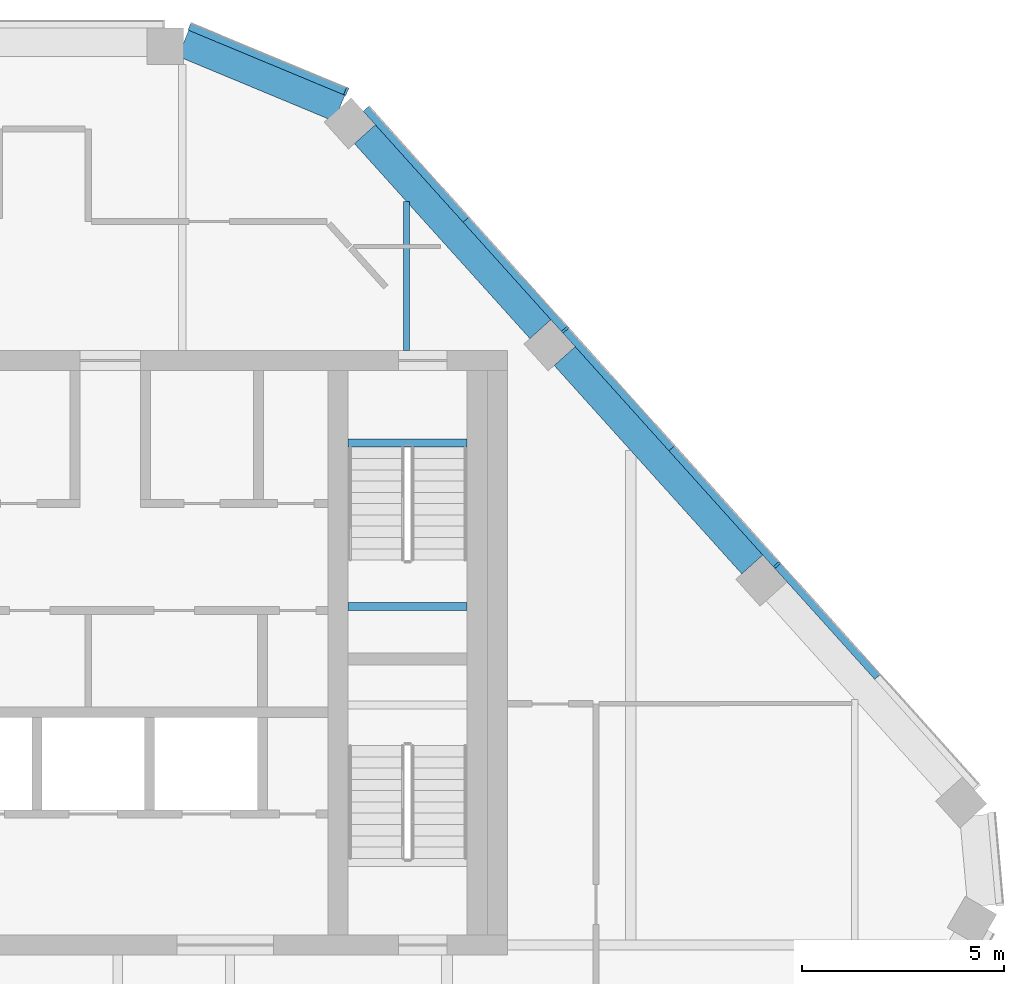
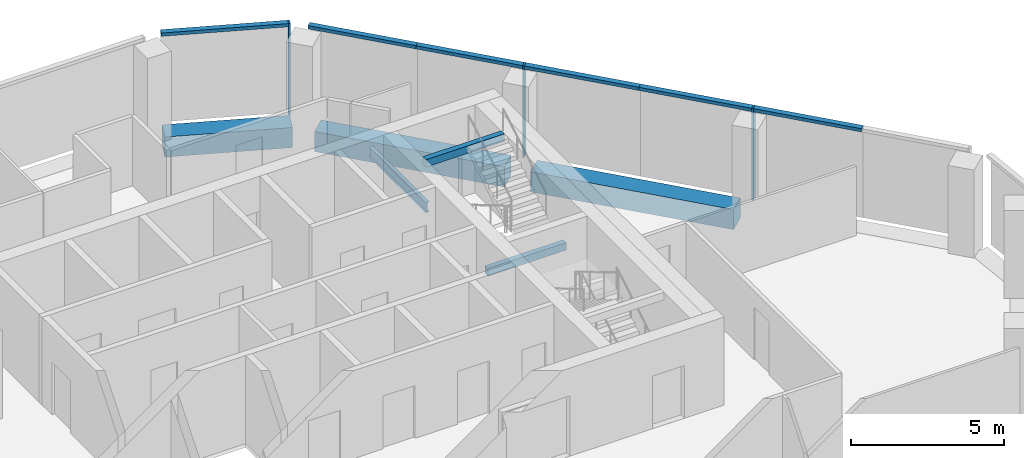
# One storey, part 6 of 15: 9 members, 6 beams, 2 elements without a shape of their own.
"""IFC4 building model written with IfcOpenShell, lengths in metres."""

from ifc_helpers import new_model, si_unit, direction, frame, origin, origin_2d, place, context, subcontext, project, spatial, rectangle, i_section, extrude, material, layer, layer_set, material_profile, profile_set, type_object, element, aggregate, save


model = new_model("IFC4")

# Units and contexts
model_context = context("Model", 3, precision=1e-05, world=origin(), true_north=direction((0.0, 1.0)))
body_context = subcontext(model_context, "Body", "Model", "MODEL_VIEW")
ifc_project = project(units=[si_unit("LENGTHUNIT", "METRE"), si_unit("AREAUNIT", "SQUARE_METRE"), si_unit("VOLUMEUNIT", "CUBIC_METRE"), si_unit("PLANEANGLEUNIT", "RADIAN"), si_unit("MASSUNIT", "GRAM", prefix="KILO")], contexts=[model_context])

# Site, building, storey
site_placement = place(None, origin())
site = spatial("IfcSite", under=ifc_project, at=site_placement, CompositionType="ELEMENT")
building_placement = place(site_placement, origin())
building = spatial("IfcBuilding", under=site, at=building_placement, Name="Isthmus Gate Tower", CompositionType="ELEMENT")
storey_placement = place(building_placement, frame((0.0, 0.0, 271.89990234375)))
storey = spatial("IfcBuildingStorey", under=building, at=storey_placement, Name="L69", CompositionType="ELEMENT", Elevation=271.89990234375)

# Curtain wall, members
ifc_material_1 = material(Name="Aluminium, pale champagne anodised", Category="aluminium")
ifc_layer = layer(ifc_material_1, 0.199951171875)
ifc_layer_set = layer_set([ifc_layer], Name="CW-1 UNITISED CURTAIN WALL 200 DEEP")
curtain_wall_type = type_object("IfcCurtainWallType", Name="CW-1 UNITISED CURTAIN WALL 200 DEEP", PredefinedType="NOTDEFINED", material=ifc_layer_set)
curtain_wall_1_placement = place(storey_placement, origin())
curtain_wall_1 = element("IfcCurtainWall", 1, at=curtain_wall_1_placement, inside=storey, type_object=curtain_wall_type, Name="CW-1 NE L69", PredefinedType="NOTDEFINED")
ifc_material_2 = material(Name="Aluminium, pale champagne anodised", Category="aluminium")
ifc_material_profile_1 = material_profile(ifc_material_2, rectangle(XDim=0.06005859375, YDim=0.199951171875, at=origin_2d()), Name="60x200")
ifc_profile_set_1 = profile_set([ifc_material_profile_1], Name="Aluminium, pale champagne anodised")
member_type_1 = type_object("IfcMemberType", Name="CW-1 MULLION 60 X 200", PredefinedType="MULLION", material=ifc_profile_set_1)
member_1_placement = place(storey_placement, frame((21.69140625, 9.680419921875, 0.0), z_axis=(0.0, 0.0, 1.0), x_axis=(-0.669130606359, 0.743144825477, 0.0)))
member_1 = element("IfcMember", 2, at=member_1_placement, type_object=member_type_1, Name="CW-1 mullion", PredefinedType="MULLION", context=body_context, shape_type="SweptSolid", body=[
    extrude(rectangle(XDim=0.06005859375, YDim=0.199951171875, at=origin_2d()), origin(), (0.0, 0.0, 1.0), 3.650146484375),
])
member_2_placement = place(storey_placement, frame((16.43408203125, 15.519287109375, 0.0), z_axis=(0.0, 0.0, 1.0), x_axis=(-0.669130606359, 0.743144825477, 0.0)))
member_2 = element("IfcMember", 3, at=member_2_placement, type_object=member_type_1, Name="CW-1 mullion", PredefinedType="MULLION", context=body_context, shape_type="SweptSolid", body=[
    extrude(rectangle(XDim=0.06005859375, YDim=0.199951171875, at=origin_2d()), origin(), (0.0, 0.0, 1.0), 3.650146484375),
])

# Curtain wall, member
curtain_wall_2_placement = place(storey_placement, origin())
curtain_wall_2 = element("IfcCurtainWall", 4, at=curtain_wall_2_placement, inside=storey, type_object=curtain_wall_type, Name="CW-1 NE-N L69", PredefinedType="NOTDEFINED")
member_3_placement = place(storey_placement, frame((11.001708984375, 21.427490234375, 0.0), z_axis=(0.0, 0.0, 1.0), x_axis=(-0.923353128387, 0.383951820282, 0.0)))
member_3 = element("IfcMember", 5, at=member_3_placement, type_object=member_type_1, Name="CW-1 mullion", PredefinedType="MULLION", context=body_context, shape_type="SweptSolid", body=[
    extrude(rectangle(XDim=0.06005859375, YDim=0.199951171875, at=origin_2d()), origin(), (0.0, 0.0, 1.0), 3.650146484375),
])

# Member
ifc_material_3 = material(Name="Aluminium, pale champagne anodised", Category="aluminium")
ifc_material_profile_2 = material_profile(ifc_material_3, rectangle(XDim=0.199951171875, YDim=0.1298828125, at=origin_2d()), Name="200x130")
ifc_profile_set_2 = profile_set([ifc_material_profile_2], Name="Aluminium, pale champagne anodised")
member_type_2 = type_object("IfcMemberType", Name="CW-1 TRANSOM 200 X 130", PredefinedType="USERDEFINED", material=ifc_profile_set_2)
member_4_placement = place(storey_placement, frame((24.189453125, 6.906005859375, 3.585205078125), z_axis=(-0.669121330099, 0.743153177754, 0.0), x_axis=(-0.743153177754, -0.669121330099, 0.0)))
member_4 = element("IfcMember", 6, at=member_4_placement, type_object=member_type_2, Name="CW-1 transom", ObjectType="TRANSOM", PredefinedType="USERDEFINED", context=body_context, shape_type="SweptSolid", body=[
    extrude(rectangle(XDim=0.199951171875, YDim=0.1298828125, at=origin_2d()), origin(), (0.0, 0.0, 1.0), 3.703369140625),
])

member_5_placement = place(storey_placement, frame((21.67138671875, 9.702880859375, 3.585205078125), z_axis=(-0.669156480406, 0.743121527565, 0.0), x_axis=(-0.743121527565, -0.669156480406, 0.0)))
member_5 = element("IfcMember", 7, at=member_5_placement, type_object=member_type_2, Name="CW-1 transom", ObjectType="TRANSOM", PredefinedType="USERDEFINED", context=body_context, shape_type="SweptSolid", body=[
    extrude(rectangle(XDim=0.199951171875, YDim=0.1298828125, at=origin_2d()), origin(), (0.0, 0.0, 1.0), 3.868408203125),
])

member_6_placement = place(storey_placement, frame((19.082763671875, 12.57763671875, 3.585205078125), z_axis=(-0.669095199697, 0.743176704252, 0.0), x_axis=(-0.743176704252, -0.669095199697, 0.0)))
member_6 = element("IfcMember", 8, at=member_6_placement, type_object=member_type_2, Name="CW-1 transom", ObjectType="TRANSOM", PredefinedType="USERDEFINED", context=body_context, shape_type="SweptSolid", body=[
    extrude(rectangle(XDim=0.199951171875, YDim=0.1298828125, at=origin_2d()), origin(), (0.0, 0.0, 1.0), 3.92822265625),
])

member_7_placement = place(storey_placement, frame((16.4140625, 15.54150390625, 3.585205078125), z_axis=(-0.669116497993, 0.743157528464, 0.0), x_axis=(-0.743157528464, -0.669116497993, 0.0)))
member_7 = element("IfcMember", 9, at=member_7_placement, type_object=member_type_2, Name="CW-1 transom", ObjectType="TRANSOM", PredefinedType="USERDEFINED", context=body_context, shape_type="SweptSolid", body=[
    extrude(rectangle(XDim=0.199951171875, YDim=0.1298828125, at=origin_2d()), origin(), (0.0, 0.0, 1.0), 3.6435546875),
])

member_8_placement = place(storey_placement, frame((13.97607421875, 18.249267578125, 3.585205078125), z_axis=(-0.669154112043, 0.743123660192, 0.0), x_axis=(-0.743123660192, -0.669154112043, 0.0)))
member_8 = element("IfcMember", 10, at=member_8_placement, type_object=member_type_2, Name="CW-1 transom", ObjectType="TRANSOM", PredefinedType="USERDEFINED", context=body_context, shape_type="SweptSolid", body=[
    extrude(rectangle(XDim=0.199951171875, YDim=0.1298828125, at=origin_2d()), origin(), (0.0, 0.0, 1.0), 3.703125),
])

aggregate(curtain_wall_1, [member_4, member_1, member_5, member_6, member_2, member_7, member_8])

member_9_placement = place(storey_placement, frame((10.97412109375, 21.43896484375, 3.585205078125), z_axis=(-0.923358236369, 0.383939536033, 0.0), x_axis=(-0.383939536033, -0.923358236369, 0.0)))
member_9 = element("IfcMember", 11, at=member_9_placement, type_object=member_type_2, Name="CW-1 transom", ObjectType="TRANSOM", PredefinedType="USERDEFINED", context=body_context, shape_type="SweptSolid", body=[
    extrude(rectangle(XDim=0.199951171875, YDim=0.1298828125, at=origin_2d()), origin(), (0.0, 0.0, 1.0), 4.181640625),
])

aggregate(curtain_wall_2, [member_3, member_9])

# Beams
ifc_material_4 = material(Name="Concrete f'c 50 MPa", Category="concrete")
ifc_material_profile_3 = material_profile(ifc_material_4, rectangle(XDim=0.699951171875, YDim=0.800048828125, at=origin_2d()), Name="RC 700X800")
ifc_profile_set_3 = profile_set([ifc_material_profile_3], Name="Concrete f'c 50 MPa")
beam_type_1 = type_object("IfcBeamType", Name="RC SPANDREL 700 X 800", PredefinedType="SPANDREL", material=ifc_profile_set_3)
beam_1_placement = place(storey_placement, frame((6.95947265625, 22.620849609375, -0.39990234375), z_axis=(0.923360646135, -0.383933740597, 0.0), x_axis=(0.383933740597, 0.923360646135, 0.0)))
element("IfcBeam", 12, at=beam_1_placement, inside=storey, type_object=beam_type_1, Name="str-spandrel-L69-00", PredefinedType="SPANDREL", context=body_context, shape_type="SweptSolid", body=[
    extrude(rectangle(XDim=0.699951171875, YDim=0.800048828125, at=origin_2d()), origin(), (0.0, 0.0, 1.0), 4.19677734375),
])
beam_2_placement = place(storey_placement, frame((11.46484375, 20.36572265625, -0.39990234375), z_axis=(0.669122265754, -0.743152335307, 0.0), x_axis=(0.743152335307, 0.669122265754, 0.0)))
element("IfcBeam", 13, at=beam_2_placement, inside=storey, type_object=beam_type_1, Name="str-spandrel-L69-01", PredefinedType="SPANDREL", context=body_context, shape_type="SweptSolid", body=[
    extrude(rectangle(XDim=0.699951171875, YDim=0.800048828125, at=origin_2d()), origin(), (0.0, 0.0, 1.0), 6.506591796875),
])
beam_3_placement = place(storey_placement, frame((16.4208984375, 14.861572265625, -0.39990234375), z_axis=(0.669131458307, -0.743144058379, 0.0), x_axis=(0.743144058379, 0.669131458307, 0.0)))
element("IfcBeam", 14, at=beam_3_placement, inside=storey, type_object=beam_type_1, Name="str-spandrel-L69-02", PredefinedType="SPANDREL", context=body_context, shape_type="SweptSolid", body=[
    extrude(rectangle(XDim=0.699951171875, YDim=0.800048828125, at=origin_2d()), origin(), (0.0, 0.0, 1.0), 6.956787109375),
])
ifc_material_5 = material(Name="Concrete f'c 40 MPa", Category="concrete")
ifc_material_profile_4 = material_profile(ifc_material_5, rectangle(XDim=0.199951171875, YDim=0.300048828125, at=origin_2d()), Name="STAIR LANDING BEAM RC 200 X 300")
ifc_profile_set_4 = profile_set([ifc_material_profile_4], Name="Concrete f'c 40 MPa")
beam_type_2 = type_object("IfcBeamType", Name="STAIR LANDING BEAM RC 200 X 300", PredefinedType="BEAM", material=ifc_profile_set_4)
for number, where, z_axis, x_axis, name in (
    (15, (11.050048828125, 8.64990234375, 1.47509765625), (1.0, 0.0, 0.0), (0.0, 1.0, 0.0), "L69 ST2 landing beam 1"),
    (16, (11.050048828125, 12.7001953125, 3.35009765625), (1.0, 0.0, 0.0), (0.0, 1.0, 0.0), "L69 ST2 floor-edge seat beam"),
):
    element("IfcBeam", number, at=place(storey_placement, frame(where, z_axis=z_axis, x_axis=x_axis)), inside=storey, type_object=beam_type_2, Name=name, PredefinedType="BEAM", context=body_context, shape_type="SweptSolid", body=[
        extrude(rectangle(XDim=0.199951171875, YDim=0.300048828125, at=origin_2d()), origin(), (0.0, 0.0, 1.0), 2.949951171875),
    ])
ifc_material_6 = material(Name="Structural steel ASTM A992 Gr 50", Category="steel")
ifc_material_profile_5 = material_profile(ifc_material_6, i_section(OverallWidth=0.1396484375, OverallDepth=0.4033203125, WebThickness=0.00634765625, FlangeThickness=0.010986328125, at=origin_2d()), Name="W16X31")
ifc_profile_set_5 = profile_set([ifc_material_profile_5], Name="Structural steel ASTM A992 Gr 50")
beam_type_3 = type_object("IfcBeamType", Name="STEEL FLOOR BEAM W16X31", PredefinedType="JOIST", material=ifc_profile_set_5)
beam_4_placement = place(storey_placement, frame((12.49560546875, 15.0, -0.3515625), z_axis=(0.0, 1.0, 0.0), x_axis=(-1.0, 0.0, 0.0)))
element("IfcBeam", 17, at=beam_4_placement, inside=storey, type_object=beam_type_3, Name="str-beam-L69-07-05", PredefinedType="JOIST", context=body_context, shape_type="SweptSolid", body=[
    extrude(i_section(OverallWidth=0.1396484375, OverallDepth=0.4033203125, WebThickness=0.00634765625, FlangeThickness=0.010986328125, at=origin_2d()), origin(), (0.0, 0.0, 1.0), 3.69775390625),
])

save(model, "model.ifc")
